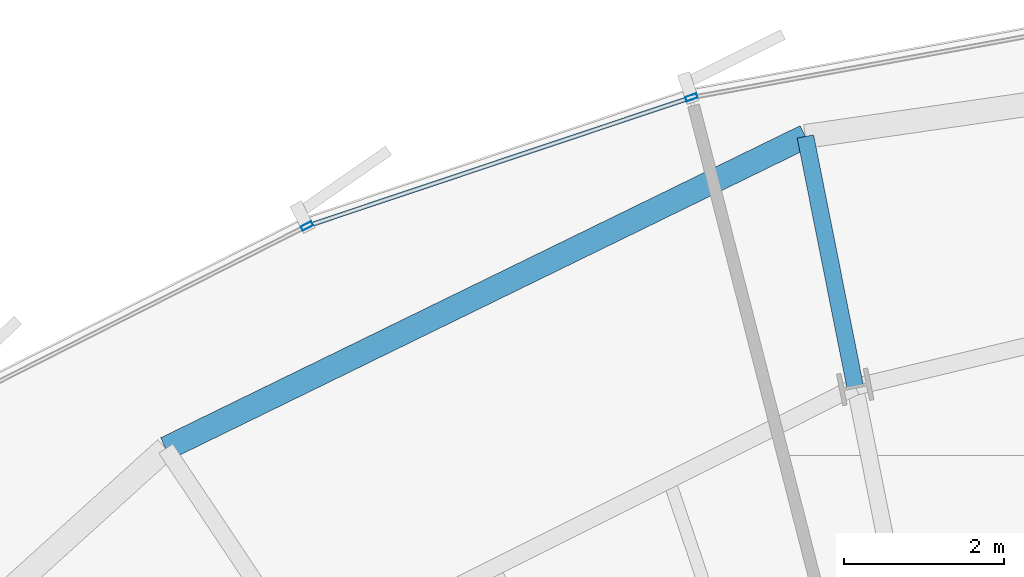
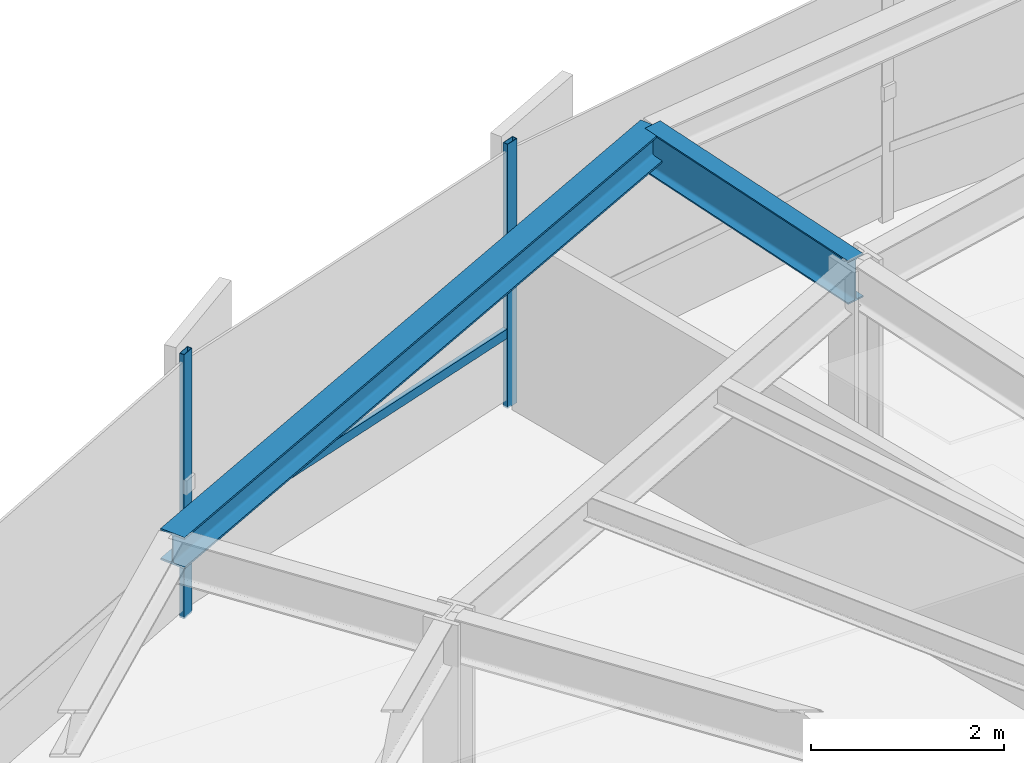
# One storey, part 20 of 35: 3 members, 2 beams, 1 element without a shape of its own.
"""IFC4 building model written with IfcOpenShell, lengths in metres."""

from ifc_helpers import new_model, si_unit, direction, frame, origin, origin_2d, place, context, subcontext, project, spatial, hollow_rectangle, i_section, extrude, source, transform, mapped, material, layer, layer_set, material_profile, profile_set, type_object, element, aggregate, save


model = new_model("IFC4")

# Units and contexts
model_context = context("Model", 3, precision=1e-05, world=origin(), true_north=direction((0.0, 1.0)))
body_context = subcontext(model_context, "Body", "Model", "MODEL_VIEW")
ifc_project = project(units=[si_unit("LENGTHUNIT", "METRE"), si_unit("AREAUNIT", "SQUARE_METRE"), si_unit("VOLUMEUNIT", "CUBIC_METRE"), si_unit("PLANEANGLEUNIT", "RADIAN"), si_unit("MASSUNIT", "GRAM", prefix="KILO"), si_unit("THERMODYNAMICTEMPERATUREUNIT", "KELVIN")], contexts=[model_context])

# Site, building, storey
site_placement = place(None, origin())
site = spatial("IfcSite", under=ifc_project, at=site_placement, CompositionType="ELEMENT")
building_placement = place(site_placement, origin())
building = spatial("IfcBuilding", under=site, at=building_placement, Name="Kethvar Cultural Tower", CompositionType="ELEMENT")
storey_placement = place(building_placement, frame((0.0, 0.0, 92.800048828125)))
storey = spatial("IfcBuildingStorey", under=building, at=storey_placement, Name="L22", CompositionType="ELEMENT", Elevation=92.800048828125)

# Beams
ifc_material_1 = material(Name="Steel S355J2", Category="steel")
ifc_material_profile_1 = material_profile(ifc_material_1, i_section(OverallWidth=0.2099609375, OverallDepth=0.550048828125, WebThickness=0.010986328125, FlangeThickness=0.01708984375, FilletRadius=0.02392578125, at=origin_2d()), Name="Steel S355J2 — IPE550")
ifc_profile_set_1 = profile_set([ifc_material_profile_1], Name="Steel S355J2 — IPE550")
beam_type_1 = type_object("IfcBeamType", Name="BM-IPE550", PredefinedType="BEAM", material=ifc_profile_set_1)
shared_shape_1 = source(origin(), body_context, "Body", "SweptSolid", [
    extrude(i_section(OverallWidth=0.2099609375, OverallDepth=0.550048828125, WebThickness=0.010986328125, FlangeThickness=0.01708984375, FilletRadius=0.02392578125, at=origin_2d()), origin(), (0.0, 0.0, 1.0), 3.199951171875),
])
beam_1_placement = place(storey_placement, frame((42.9189453125, 47.311279296875, 3.072998046875), z_axis=(-0.195088965533, 0.980785550224, 0.0), x_axis=(-0.980785550224, -0.195088965533, 0.0)))
element("IfcBeam", 1, at=beam_1_placement, inside=storey, type_object=beam_type_1, Name="L22 Perimeter Cantilever Beam RC-05", PredefinedType="BEAM", context=body_context, shape_type="MappedRepresentation", body=[
    mapped(shared_shape_1, transform((0.0, 0.0, 0.0), scale=1.0)),
])
ifc_material_profile_2 = material_profile(ifc_material_1, i_section(OverallWidth=0.300048828125, OverallDepth=0.39990234375, WebThickness=0.013427734375, FlangeThickness=0.02392578125, FilletRadius=0.027099609375, at=origin_2d()), Name="Steel S355J2 — HEB400")
ifc_profile_set_2 = profile_set([ifc_material_profile_2], Name="Steel S355J2 — HEB400")
beam_type_2 = type_object("IfcBeamType", Name="BM-SP400", PredefinedType="SPANDREL", material=ifc_profile_set_2)
shared_shape_2 = source(origin(), body_context, "Body", "SweptSolid", [
    extrude(i_section(OverallWidth=0.300048828125, OverallDepth=0.39990234375, WebThickness=0.013427734375, FlangeThickness=0.02392578125, FilletRadius=0.027099609375, at=origin_2d()), origin(), (0.0, 0.0, 1.0), 8.91845703125),
])
beam_2_placement = place(storey_placement, frame((42.294677734375, 50.44970703125, 3.14794921875), z_axis=(-0.898683713341, -0.438597290662, 0.0), x_axis=(0.438597290662, -0.898683713341, 0.0)))
element("IfcBeam", 2, at=beam_2_placement, inside=storey, type_object=beam_type_2, Name="L22 Perimeter Spandrel Beam SP-05", PredefinedType="SPANDREL", context=body_context, shape_type="MappedRepresentation", body=[
    mapped(shared_shape_2, transform((0.0, 0.0, 0.0), scale=1.0)),
])

# Curtain wall, members
ifc_material_2 = material(Name="Aluminium 6063-T6", Category="aluminium")
ifc_layer = layer(ifc_material_2, 0.179931640625, Name="Aluminium 6063-T6", Category="aluminium")
ifc_layer_set = layer_set([ifc_layer], Name="Aluminium 6063-T6 (180 mm)")
curtain_wall_type = type_object("IfcCurtainWallType", Name="CW-SYS-03-Z2", PredefinedType="NOTDEFINED", material=ifc_layer_set)
curtain_wall_placement = place(storey_placement, origin())
curtain_wall = element("IfcCurtainWall", 3, at=curtain_wall_placement, inside=storey, type_object=curtain_wall_type, Name="L22 Curtain Wall Run 02", PredefinedType="NOTDEFINED")
ifc_material_profile_3 = material_profile(ifc_material_2, hollow_rectangle(XDim=0.06005859375, YDim=0.14990234375, WallThickness=0.0048828125, at=origin_2d()), Name="Aluminium 6063-T6 — RHS150x60x5")
ifc_profile_set_3 = profile_set([ifc_material_profile_3], Name="Aluminium 6063-T6 — RHS150x60x5")
member_type_1 = type_object("IfcMemberType", Name="CW-SYS-03-Z2-MUL", PredefinedType="MULLION", material=ifc_profile_set_3)
shared_shape_3 = source(origin(), body_context, "Body", "SweptSolid", [
    extrude(hollow_rectangle(XDim=0.06005859375, YDim=0.14990234375, WallThickness=0.0048828125, at=origin_2d()), origin(), (0.0, 0.0, 1.0), 3.349853515625),
])
member_1_placement = place(storey_placement, frame((40.867431640625, 50.93896484375, 0.0), z_axis=(0.0, 0.0, 1.0), x_axis=(0.317337758952, -0.948312578606, 0.0)))
member_1 = element("IfcMember", 4, at=member_1_placement, type_object=member_type_1, Name="CW-L22-R02 Mullion 4", PredefinedType="MULLION", context=body_context, shape_type="MappedRepresentation", body=[
    mapped(shared_shape_3, transform((0.0, 0.0, 0.0), scale=1.0)),
])
member_2_placement = place(storey_placement, frame((36.048828125, 49.32763671875, 0.0), z_axis=(0.0, 0.0, 1.0), x_axis=(0.450706168206, -0.892672364276, 0.0)))
member_2 = element("IfcMember", 5, at=member_2_placement, type_object=member_type_1, Name="CW-L22-R02 Mullion 5", PredefinedType="MULLION", context=body_context, shape_type="MappedRepresentation", body=[
    mapped(shared_shape_3, transform((0.0, 0.0, 0.0), scale=1.0)),
])
ifc_material_profile_4 = material_profile(ifc_material_2, hollow_rectangle(XDim=0.054931640625, YDim=0.1201171875, WallThickness=0.00390625, at=origin_2d()), Name="Aluminium 6063-T6 — RHS120x55x4")
ifc_profile_set_4 = profile_set([ifc_material_profile_4], Name="Aluminium 6063-T6 — RHS120x55x4")
member_type_2 = type_object("IfcMemberType", Name="CW-SYS-03-Z2-TRN", PredefinedType="USERDEFINED", material=ifc_profile_set_4)
shared_shape_4 = source(origin(), body_context, "Body", "SweptSolid", [
    extrude(hollow_rectangle(XDim=0.054931640625, YDim=0.1201171875, WallThickness=0.00390625, at=origin_2d()), origin(), (0.0, 0.0, 1.0), 5.0107421875),
])
member_3_placement = place(storey_placement, frame((40.826416015625, 50.92529296875, 0.949951171875), z_axis=(-0.948312346338, -0.317338453049, 0.0), x_axis=(0.317338453049, -0.948312346338, 0.0)))
member_3 = element("IfcMember", 6, at=member_3_placement, type_object=member_type_2, Name="CW-L22-R02 Transom 4", ObjectType="TRANSOM", PredefinedType="USERDEFINED", context=body_context, shape_type="MappedRepresentation", body=[
    mapped(shared_shape_4, transform((0.0, 0.0, 0.0), scale=1.0)),
])
aggregate(curtain_wall, [member_1, member_2, member_3])

save(model, "model.ifc")
